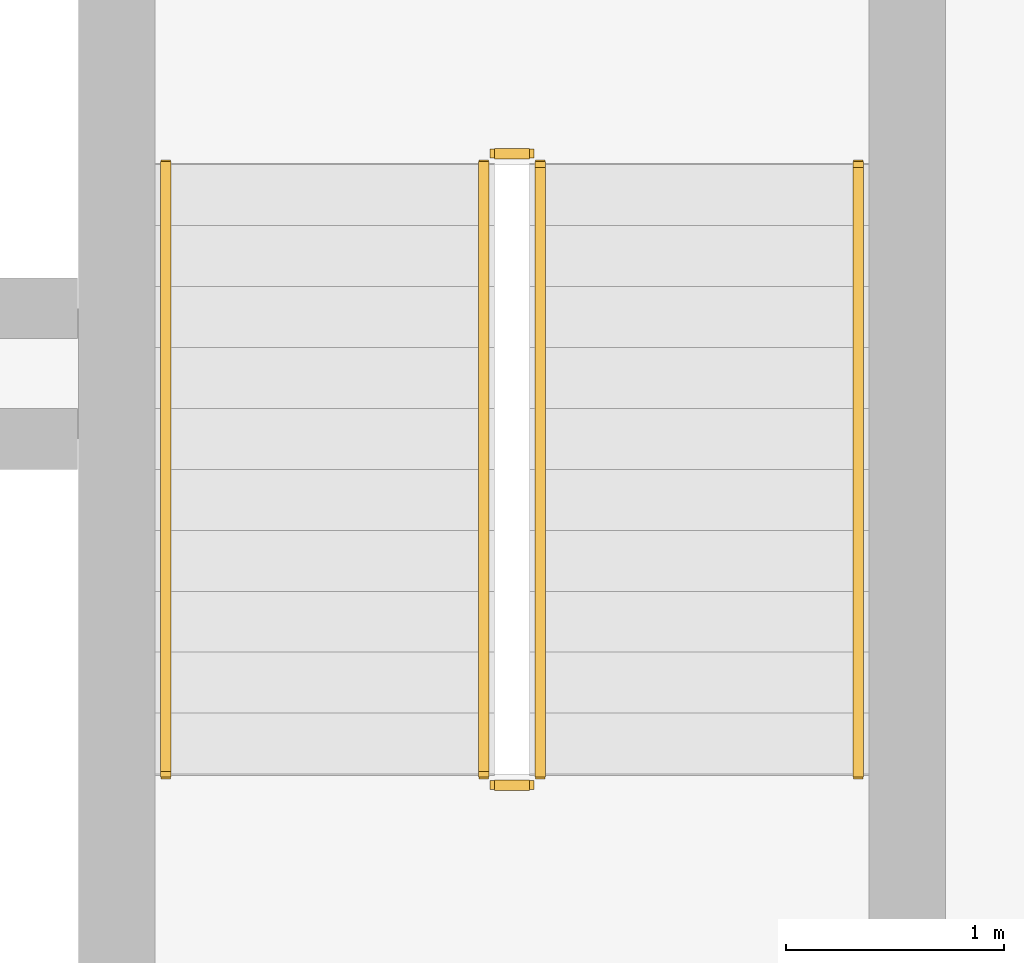
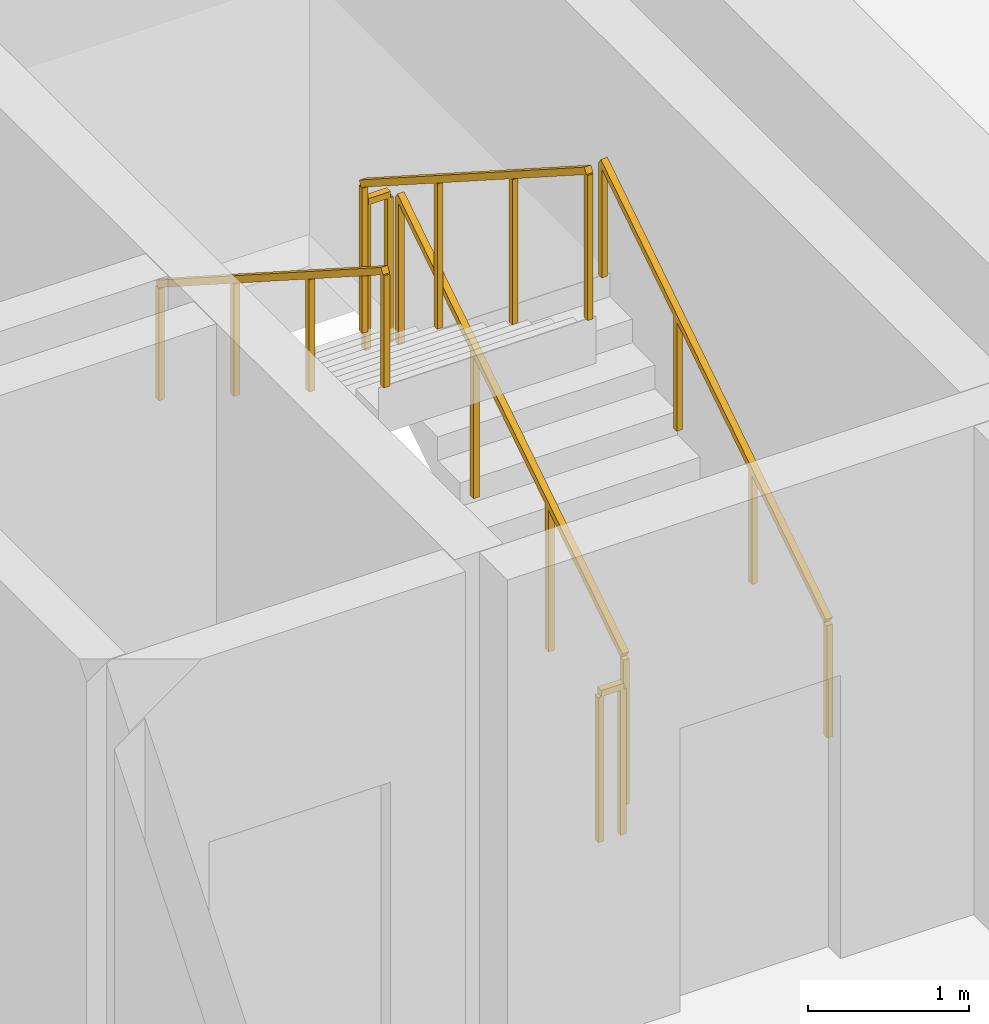
# One storey, part 11 of 11: 6 railings.
"""IFC4 building model written with IfcOpenShell, lengths in metres."""

from ifc_helpers import new_model, si_unit, direction, frame, origin, origin_2d, place, context, subcontext, project, spatial, rectangle, extrude, material, type_object, element, save


model = new_model("IFC4")

# Units and contexts
model_context = context("Model", 3, precision=1e-05, world=origin(), true_north=direction((0.0, 1.0)))
body_context = subcontext(model_context, "Body", "Model", "MODEL_VIEW")
ifc_project = project(units=[si_unit("LENGTHUNIT", "METRE"), si_unit("AREAUNIT", "SQUARE_METRE"), si_unit("VOLUMEUNIT", "CUBIC_METRE"), si_unit("PLANEANGLEUNIT", "RADIAN"), si_unit("MASSUNIT", "GRAM", prefix="KILO")], contexts=[model_context])

# Site, building, storey
site_placement = place(None, origin())
site = spatial("IfcSite", under=ifc_project, at=site_placement, CompositionType="ELEMENT")
building_placement = place(site_placement, origin())
building = spatial("IfcBuilding", under=site, at=building_placement, Name="Kaelvorn Grand Hotel", CompositionType="ELEMENT")
storey_placement = place(building_placement, frame((0.0, 0.0, 252.85009765625)))
storey = spatial("IfcBuildingStorey", under=building, at=storey_placement, Name="L62", CompositionType="ELEMENT", Elevation=252.85009765625)

# Railings
ifc_material = material(Name="Stainless Steel", Category="steel")
railing_type_1 = type_object("IfcRailingType", Name="RL-HANDRAIL-900", PredefinedType="HANDRAIL", material=ifc_material)
railing_1_placement = place(storey_placement, frame((66.550048828125, 41.760009765625, 0.179443359375)))
element("IfcRailing", 1, at=railing_1_placement, inside=storey, type_object=railing_type_1, Name="L62 ST3 stair handrail 1", PredefinedType="HANDRAIL", context=body_context, shape_type="SweptSolid", body=[
    extrude(rectangle(XDim=0.048095703125, YDim=0.048095703125, at=origin_2d()), frame((0.0, 0.0, 0.8759765625), z_axis=(0.0, 0.841809871826, 0.539774156196), x_axis=(-1.0, 0.0, 0.0)), (0.0, 0.0, 1.0), 3.326171875),
    extrude(rectangle(XDim=0.0419921875, YDim=0.0419921875, at=origin_2d()), origin(), (0.0, 0.0, 1.0), 0.851806640625),
    extrude(rectangle(XDim=0.0419921875, YDim=0.0419921875, at=origin_2d()), frame((0.0, 0.933349609375, 0.598388671875)), (0.0, 0.0, 1.0), 0.851806640625),
    extrude(rectangle(XDim=0.0419921875, YDim=0.0419921875, at=origin_2d()), frame((0.0, 1.86669921875, 1.197021484375)), (0.0, 0.0, 1.0), 0.851806640625),
    extrude(rectangle(XDim=0.0419921875, YDim=0.0419921875, at=origin_2d()), frame((0.0, 2.800048828125, 1.79541015625)), (0.0, 0.0, 1.0), 0.851806640625),
])
railing_2_placement = place(storey_placement, frame((63.3701171875, 44.56005859375, 2.154541015625)))
element("IfcRailing", 2, at=railing_2_placement, inside=storey, type_object=railing_type_1, Name="L62 ST3 stair handrail 2", PredefinedType="HANDRAIL", context=body_context, shape_type="SweptSolid", body=[
    extrude(rectangle(XDim=0.048095703125, YDim=0.048095703125, at=origin_2d()), frame((0.0, 0.0, 0.8759765625), z_axis=(0.0, -0.841809871826, 0.539774156196), x_axis=(1.0, 0.0, 0.0)), (0.0, 0.0, 1.0), 3.326171875),
    extrude(rectangle(XDim=0.0419921875, YDim=0.0419921875, at=origin_2d()), origin(), (0.0, 0.0, 1.0), 0.851806640625),
    extrude(rectangle(XDim=0.0419921875, YDim=0.0419921875, at=origin_2d()), frame((0.0, -0.933349609375, 0.598388671875)), (0.0, 0.0, 1.0), 0.851806640625),
    extrude(rectangle(XDim=0.0419921875, YDim=0.0419921875, at=origin_2d()), frame((0.0, -1.86669921875, 1.197021484375)), (0.0, 0.0, 1.0), 0.851806640625),
    extrude(rectangle(XDim=0.0419921875, YDim=0.0419921875, at=origin_2d()), frame((0.0, -2.800048828125, 1.79541015625)), (0.0, 0.0, 1.0), 0.851806640625),
])
railing_type_2 = type_object("IfcRailingType", Name="RL-STAIR-GUARD-1150", PredefinedType="BALUSTRADE", material=ifc_material)
railing_3_placement = place(storey_placement, frame((65.090087890625, 41.760009765625, 0.179443359375)))
element("IfcRailing", 3, at=railing_3_placement, inside=storey, type_object=railing_type_2, Name="L62 ST3 stair guard 1", PredefinedType="BALUSTRADE", context=body_context, shape_type="SweptSolid", body=[
    extrude(rectangle(XDim=0.048095703125, YDim=0.048095703125, at=origin_2d()), frame((0.0, 0.0, 1.1259765625), z_axis=(0.0, 0.841809871826, 0.539774156196), x_axis=(-1.0, 0.0, 0.0)), (0.0, 0.0, 1.0), 3.326171875),
    extrude(rectangle(XDim=0.0419921875, YDim=0.0419921875, at=origin_2d()), origin(), (0.0, 0.0, 1.0), 1.101806640625),
    extrude(rectangle(XDim=0.0419921875, YDim=0.0419921875, at=origin_2d()), frame((0.0, 0.933349609375, 0.598388671875)), (0.0, 0.0, 1.0), 1.101806640625),
    extrude(rectangle(XDim=0.0419921875, YDim=0.0419921875, at=origin_2d()), frame((0.0, 1.86669921875, 1.197021484375)), (0.0, 0.0, 1.0), 1.101806640625),
    extrude(rectangle(XDim=0.0419921875, YDim=0.0419921875, at=origin_2d()), frame((0.0, 2.800048828125, 1.79541015625)), (0.0, 0.0, 1.0), 1.101806640625),
])
railing_4_placement = place(storey_placement, frame((65.0400390625, 44.610107421875, 1.974853515625)))
element("IfcRailing", 4, at=railing_4_placement, inside=storey, type_object=railing_type_2, Name="L62 ST3 stair guard 2", PredefinedType="BALUSTRADE", context=body_context, shape_type="SweptSolid", body=[
    extrude(rectangle(XDim=0.048095703125, YDim=0.048095703125, at=origin_2d()), frame((0.0, 0.0, 1.1259765625), z_axis=(-1.0, 0.0, 0.0), x_axis=(0.0, -1.0, 0.0)), (0.0, 0.0, 1.0), 0.16015625),
    extrude(rectangle(XDim=0.0419921875, YDim=0.0419921875, at=origin_2d()), origin(), (0.0, 0.0, 1.0), 1.101806640625),
    extrude(rectangle(XDim=0.0419921875, YDim=0.0419921875, at=origin_2d()), frame((-0.16015625, 0.0, 0.0)), (0.0, 0.0, 1.0), 1.101806640625),
])
railing_5_placement = place(storey_placement, frame((64.830078125, 44.56005859375, 2.154541015625)))
element("IfcRailing", 5, at=railing_5_placement, inside=storey, type_object=railing_type_2, Name="L62 ST3 stair guard 3", PredefinedType="BALUSTRADE", context=body_context, shape_type="SweptSolid", body=[
    extrude(rectangle(XDim=0.048095703125, YDim=0.048095703125, at=origin_2d()), frame((0.0, 0.0, 1.1259765625), z_axis=(0.0, -0.841809871826, 0.539774156196), x_axis=(1.0, 0.0, 0.0)), (0.0, 0.0, 1.0), 3.326171875),
    extrude(rectangle(XDim=0.0419921875, YDim=0.0419921875, at=origin_2d()), origin(), (0.0, 0.0, 1.0), 1.101806640625),
    extrude(rectangle(XDim=0.0419921875, YDim=0.0419921875, at=origin_2d()), frame((0.0, -0.933349609375, 0.598388671875)), (0.0, 0.0, 1.0), 1.101806640625),
    extrude(rectangle(XDim=0.0419921875, YDim=0.0419921875, at=origin_2d()), frame((0.0, -1.86669921875, 1.197021484375)), (0.0, 0.0, 1.0), 1.101806640625),
    extrude(rectangle(XDim=0.0419921875, YDim=0.0419921875, at=origin_2d()), frame((0.0, -2.800048828125, 1.79541015625)), (0.0, 0.0, 1.0), 1.101806640625),
])
railing_6_placement = place(storey_placement, frame((65.0400390625, 41.7099609375, 0.0)))
element("IfcRailing", 6, at=railing_6_placement, inside=storey, type_object=railing_type_2, Name="L62 ST3 stair guard 4", PredefinedType="BALUSTRADE", context=body_context, shape_type="SweptSolid", body=[
    extrude(rectangle(XDim=0.048095703125, YDim=0.048095703125, at=origin_2d()), frame((0.0, 0.0, 1.1259765625), z_axis=(-1.0, 0.0, 0.0), x_axis=(0.0, -1.0, 0.0)), (0.0, 0.0, 1.0), 0.16015625),
    extrude(rectangle(XDim=0.0419921875, YDim=0.0419921875, at=origin_2d()), origin(), (0.0, 0.0, 1.0), 1.101806640625),
    extrude(rectangle(XDim=0.0419921875, YDim=0.0419921875, at=origin_2d()), frame((-0.16015625, 0.0, 0.0)), (0.0, 0.0, 1.0), 1.101806640625),
])

save(model, "model.ifc")
